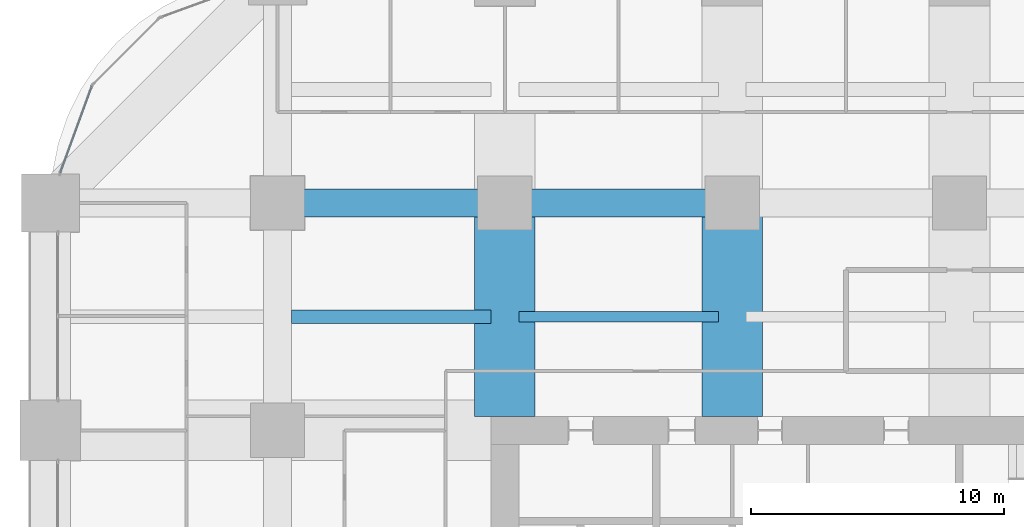
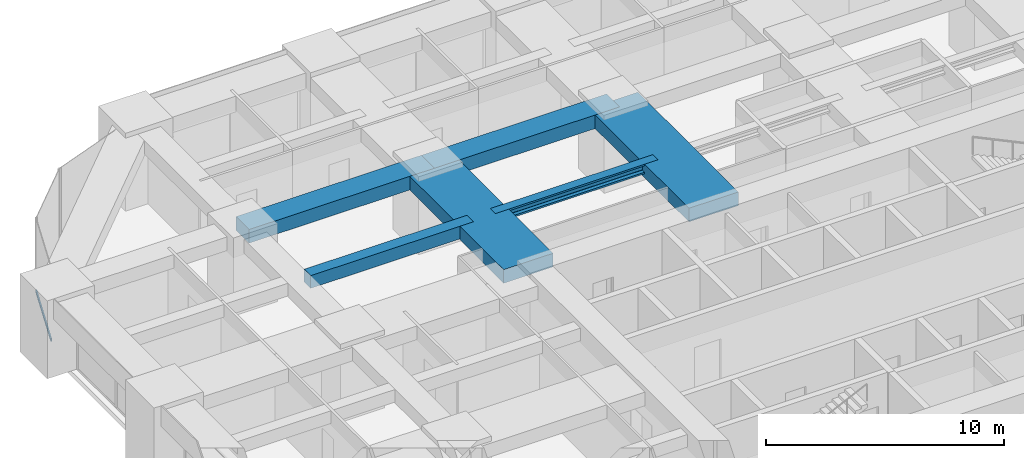
# One storey, part 26 of 45: 6 beams, 1 member, 1 element without a shape of its own.
"""IFC4 building model written with IfcOpenShell, lengths in metres."""

from ifc_helpers import new_model, si_unit, direction, frame, origin, origin_2d, place, context, subcontext, project, spatial, rectangle, hollow_rectangle, i_section, extrude, material, material_profile, profile_set, type_object, element, aggregate, save


model = new_model("IFC4")

# Units and contexts
model_context = context("Model", 3, precision=1e-05, world=origin(), true_north=direction((0.0, 1.0)))
body_context = subcontext(model_context, "Body", "Model", "MODEL_VIEW")
ifc_project = project(units=[si_unit("LENGTHUNIT", "METRE"), si_unit("AREAUNIT", "SQUARE_METRE"), si_unit("VOLUMEUNIT", "CUBIC_METRE"), si_unit("PLANEANGLEUNIT", "RADIAN"), si_unit("MASSUNIT", "GRAM", prefix="KILO")], contexts=[model_context])

# Site, building, storey
site_placement = place(None, origin())
site = spatial("IfcSite", under=ifc_project, at=site_placement, CompositionType="ELEMENT")
building_placement = place(site_placement, origin())
building = spatial("IfcBuilding", under=site, at=building_placement, Name="Zorevar Civic Tower", CompositionType="ELEMENT")
storey_placement = place(building_placement, frame((0.0, 0.0, 71.800048828125)))
storey = spatial("IfcBuildingStorey", under=building, at=storey_placement, Name="L17", CompositionType="ELEMENT", Elevation=71.800048828125)

# Beams
ifc_material_1 = material(Name="Concrete C50/60", Category="concrete")
ifc_material_profile_1 = material_profile(ifc_material_1, rectangle(XDim=1.10009765625, YDim=0.699951171875, at=origin_2d()), Name="RC 1100x700")
ifc_profile_set_1 = profile_set([ifc_material_profile_1], Name="Concrete C50/60")
beam_type_1 = type_object("IfcBeamType", Name="Beam RC 1100x700", PredefinedType="BEAM", material=ifc_profile_set_1)
for number, where, z_axis, x_axis, name in (
    (1, (9.0, 45.0, 3.39990234375), (1.0, 0.0, 0.0), (0.0, 1.0, 0.0), "Girder L18"),
    (2, (18.0, 45.0, 3.39990234375), (1.0, 0.0, 0.0), (0.0, 1.0, 0.0), "Girder L18"),
):
    element("IfcBeam", number, at=place(storey_placement, frame(where, z_axis=z_axis, x_axis=x_axis)), inside=storey, type_object=beam_type_1, Name=name, PredefinedType="BEAM", context=body_context, shape_type="SweptSolid", body=[
        extrude(rectangle(XDim=1.10009765625, YDim=0.699951171875, at=origin_2d()), origin(), (0.0, 0.0, 1.0), 9.0),
    ])
ifc_material_2 = material(Name="Concrete C50/60", Category="concrete")
ifc_material_profile_2 = material_profile(ifc_material_2, rectangle(XDim=2.39990234375, YDim=0.699951171875, at=origin_2d()), Name="RC 2400x700")
ifc_profile_set_2 = profile_set([ifc_material_profile_2], Name="Concrete C50/60")
beam_type_2 = type_object("IfcBeamType", Name="Beam RC 2400x700", PredefinedType="BEAM", material=ifc_profile_set_2)
for number, where, z_axis, x_axis, name in (
    (3, (18.0, 36.550048828125, 3.39990234375), (0.0, 1.0, 0.0), (-1.0, 0.0, 0.0), "Girder L18"),
    (4, (27.0, 36.550048828125, 3.39990234375), (0.0, 1.0, 0.0), (-1.0, 0.0, 0.0), "Girder L18"),
):
    element("IfcBeam", number, at=place(storey_placement, frame(where, z_axis=z_axis, x_axis=x_axis)), inside=storey, type_object=beam_type_2, Name=name, PredefinedType="BEAM", context=body_context, shape_type="SweptSolid", body=[
        extrude(rectangle(XDim=2.39990234375, YDim=0.699951171875, at=origin_2d()), origin(), (0.0, 0.0, 1.0), 8.449951171875),
    ])
ifc_material_3 = material(Name="Concrete C50/60", Category="concrete")
ifc_material_profile_3 = material_profile(ifc_material_3, rectangle(XDim=0.550048828125, YDim=0.64990234375, at=origin_2d()), Name="RC 550x650")
ifc_profile_set_3 = profile_set([ifc_material_profile_3], Name="Concrete C50/60")
beam_type_3 = type_object("IfcBeamType", Name="Beam RC 550x650", PredefinedType="BEAM", material=ifc_profile_set_3)
beam_1_placement = place(storey_placement, frame((9.550048828125, 40.5, 3.425048828125), z_axis=(1.0, 0.0, 0.0), x_axis=(0.0, 1.0, 0.0)))
element("IfcBeam", 5, at=beam_1_placement, inside=storey, type_object=beam_type_3, Name="Secondary beam L18", PredefinedType="BEAM", context=body_context, shape_type="SweptSolid", body=[
    extrude(rectangle(XDim=0.550048828125, YDim=0.64990234375, at=origin_2d()), origin(), (0.0, 0.0, 1.0), 7.89990234375),
])

# Curtain wall, member
ifc_material_4 = material(Name="Dark grey solar-control glass in black aluminium frame", Category="aluminium")
curtain_wall_type = type_object("IfcCurtainWallType", Name="Curtain wall CW2 low zone", PredefinedType="NOTDEFINED", material=ifc_material_4)
curtain_wall_placement = place(storey_placement, origin())
curtain_wall = element("IfcCurtainWall", 6, at=curtain_wall_placement, inside=storey, type_object=curtain_wall_type, Name="CW2 L17", PredefinedType="NOTDEFINED")
ifc_material_5 = material(Name="Aluminium, black anodised", Category="aluminium")
ifc_material_profile_4 = material_profile(ifc_material_5, hollow_rectangle(XDim=0.06005859375, YDim=0.14990234375, WallThickness=0.00390625, at=origin_2d()), Name="AL 150x60x4")
ifc_profile_set_4 = profile_set([ifc_material_profile_4], Name="Aluminium, black anodised")
member_type = type_object("IfcMemberType", Name="CW2 transom AL 150x60x4", PredefinedType="USERDEFINED", material=ifc_profile_set_4)
member_placement = place(storey_placement, frame((1.64453125, 49.622314453125, 0.030029296875), z_axis=(-0.343047162808, -0.939318180432, 0.0), x_axis=(0.939318180432, -0.343047162808, 0.0)))
member = element("IfcMember", 7, at=member_placement, type_object=member_type, Name="CW2 sill transom", ObjectType="TRANSOM", PredefinedType="USERDEFINED", context=body_context, shape_type="SweptSolid", body=[
    extrude(hollow_rectangle(XDim=0.06005859375, YDim=0.14990234375, WallThickness=0.00390625, at=origin_2d()), origin(), (0.0, 0.0, 1.0), 3.63671875),
])
aggregate(curtain_wall, [member])

# Beam
ifc_material_6 = material(Name="Steel S460M (HISTAR 460)", Category="steel")
ifc_material_profile_5 = material_profile(ifc_material_6, i_section(OverallWidth=0.431884765625, OverallDepth=0.498046875, WebThickness=0.0556640625, FlangeThickness=0.0888671875, FilletRadius=0.014892578125, at=origin_2d()), Name="HD 400x744")
ifc_profile_set_5 = profile_set([ifc_material_profile_5], Name="Steel S460M (HISTAR 460)")
beam_type_4 = type_object("IfcBeamType", Name="Core bay beam HD 400x744", PredefinedType="BEAM", material=ifc_profile_set_5)
beam_2_placement = place(storey_placement, frame((18.550048828125, 40.5, 3.5009765625), z_axis=(1.0, 0.0, 0.0), x_axis=(0.0, 1.0, 0.0)))
element("IfcBeam", 8, at=beam_2_placement, inside=storey, type_object=beam_type_4, Name="Secondary beam L18", PredefinedType="BEAM", context=body_context, shape_type="SweptSolid", body=[
    extrude(i_section(OverallWidth=0.431884765625, OverallDepth=0.498046875, WebThickness=0.0556640625, FlangeThickness=0.0888671875, FilletRadius=0.014892578125, at=origin_2d()), origin(), (0.0, 0.0, 1.0), 7.89990234375),
])

save(model, "model.ifc")
